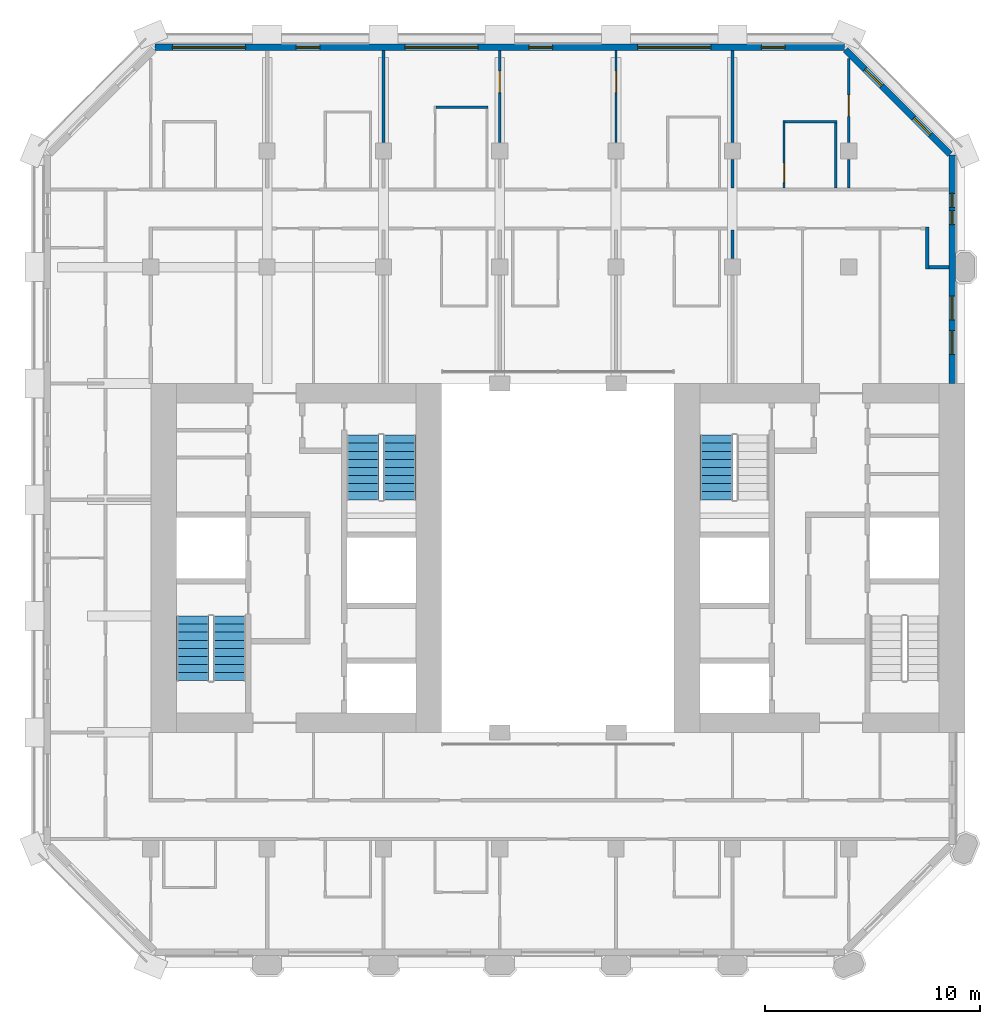
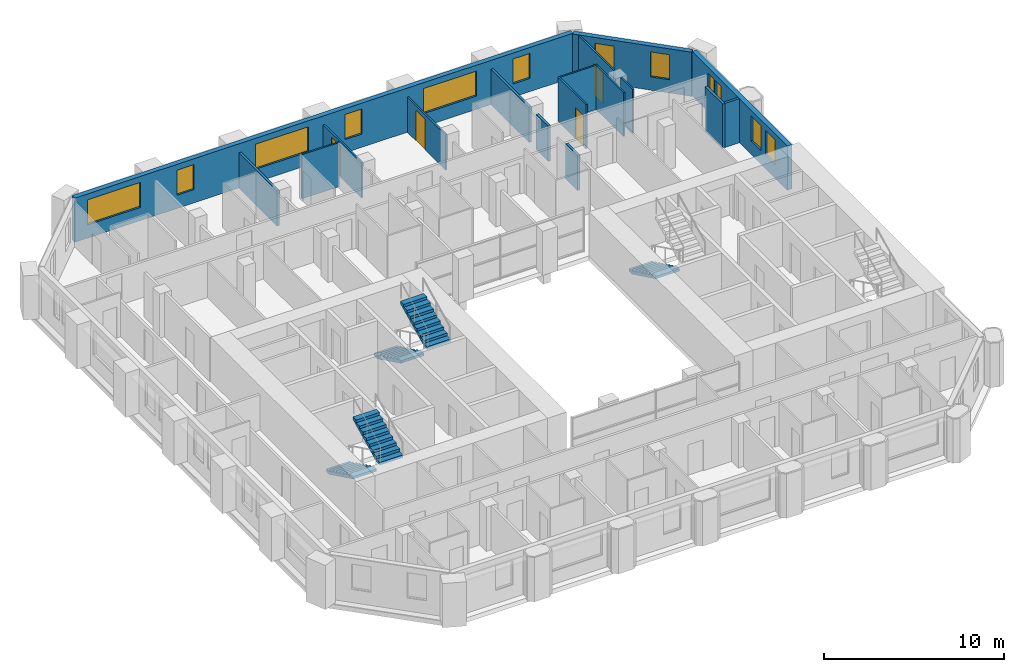
# One storey, part 11 of 14: 17 walls, 12 windows, 5 stair flights, 4 doors, 16 openings, 3 elements without a shape of their own.
"""IFC4 building model written with IfcOpenShell, lengths in metres."""

from ifc_helpers import new_model, si_unit, direction, frame, frame_2d, origin, place, context, subcontext, project, spatial, polyline, rectangle, outline, extrude, material, layer, layer_set, type_object, element, fill, aggregate, save


model = new_model("IFC4")

# Units and contexts
model_context = context("Model", 3, precision=1e-05, world=origin(), true_north=direction((0.0, 1.0)))
body_context = subcontext(model_context, "Body", "Model", "MODEL_VIEW")
ifc_project = project(units=[si_unit("LENGTHUNIT", "METRE"), si_unit("AREAUNIT", "SQUARE_METRE"), si_unit("VOLUMEUNIT", "CUBIC_METRE"), si_unit("PLANEANGLEUNIT", "RADIAN"), si_unit("MASSUNIT", "GRAM", prefix="KILO")], contexts=[model_context])

# Site, building, storey
site_placement = place(None, origin())
site = spatial("IfcSite", under=ifc_project, at=site_placement, CompositionType="ELEMENT")
building_placement = place(site_placement, origin())
building = spatial("IfcBuilding", under=site, at=building_placement, Name="Tabaq Tower and Sports Hall", CompositionType="ELEMENT")
storey_placement = place(building_placement, frame((0.0, 0.0, 223.60009765625)))
storey = spatial("IfcBuildingStorey", under=building, at=storey_placement, Name="L56", CompositionType="ELEMENT", Elevation=223.60009765625)

# Wall, opening, door
ifc_material_1 = material(Name="Gypsum board on steel studs", Category="steel")
ifc_layer_1 = layer(ifc_material_1, 0.10009765625)
ifc_layer_set_1 = layer_set([ifc_layer_1], Name="Partition 100 Gypsum board")
wall_type_1 = type_object("IfcWallType", Name="Partition 100 Gypsum board", PredefinedType="PARTITIONING", material=ifc_layer_set_1)
wall_1_placement = place(storey_placement, frame((34.800048828125, 41.47509765625, 0.0), z_axis=(0.0, 0.0, 1.0), x_axis=(0.0, 1.0, 0.0)))
wall_1 = element("IfcWall", 1, at=wall_1_placement, inside=storey, type_object=wall_type_1, Name="Partition wall L56", PredefinedType="PARTITIONING", context=body_context, shape_type="SweptSolid", body=[
    extrude(rectangle(XDim=3.125, YDim=0.10009765625, at=frame_2d((1.5625, 0.0))), origin(), (0.0, 0.0, 1.0), 3.0),
])
opening_1_placement = place(wall_1_placement, frame((0.25, 0.0, 0.0)))
opening_1 = element("IfcOpeningElement", 2, at=opening_1_placement, cuts=wall_1, Name="Opening L56-005", PredefinedType="OPENING", context=body_context, shape_type="SweptSolid", body=[
    extrude(rectangle(XDim=0.89990234375, YDim=2.10009765625, at=frame_2d((0.449951171875, 1.050048828125))), frame((0.0, 0.050048828125, 0.0), z_axis=(0.0, -1.0, 0.0), x_axis=(1.0, 0.0, 0.0)), (0.0, 0.0, 1.0), 0.10009765625),
])
ifc_material_2 = material(Name="Timber leaf in steel frame", Category="steel")
door_type_1 = type_object("IfcDoorType", Name="Internal door 900 right hand", OperationType="SINGLE_SWING_RIGHT", PredefinedType="DOOR", material=ifc_material_2)
door_1_placement = place(opening_1_placement, origin())
door_1 = element("IfcDoor", 3, at=door_1_placement, inside=storey, type_object=door_type_1, Name="Internal door L56-005", OperationType="SINGLE_SWING_RIGHT", OverallHeight=2.10009765625, OverallWidth=0.89990234375, PredefinedType="DOOR", context=body_context, shape_type="SweptSolid", body=[
    extrude(rectangle(XDim=0.89990234375, YDim=2.10009765625, at=frame_2d((0.449951171875, 1.050048828125))), frame((0.0, 0.02490234375, 0.0), z_axis=(0.0, -1.0, 0.0), x_axis=(1.0, 0.0, 0.0)), (0.0, 0.0, 1.0), 0.050048828125),
])
fill(opening_1, door_1)

# Walls
wall_2_placement = place(storey_placement, frame((34.85009765625, 44.550048828125, 0.0), z_axis=(0.0, 0.0, 1.0), x_axis=(1.0, 0.0, 0.0)))
element("IfcWall", 4, at=wall_2_placement, inside=storey, type_object=wall_type_1, Name="Partition wall L56", PredefinedType="PARTITIONING", context=body_context, shape_type="SweptSolid", body=[
    extrude(rectangle(XDim=2.39990234375, YDim=0.10009765625, at=frame_2d((1.199951171875, 0.0))), origin(), (0.0, 0.0, 1.0), 3.0),
])
wall_3_placement = place(storey_placement, frame((37.199951171875, 44.5, 0.0), z_axis=(0.0, 0.0, 1.0), x_axis=(0.0, -1.0, 0.0)))
element("IfcWall", 5, at=wall_3_placement, inside=storey, type_object=wall_type_1, Name="Partition wall L56", PredefinedType="PARTITIONING", context=body_context, shape_type="SweptSolid", body=[
    extrude(rectangle(XDim=3.02490234375, YDim=0.10009765625, at=frame_2d((1.512451171875, 0.0))), origin(), (0.0, 0.0, 1.0), 3.0),
])
wall_4_placement = place(storey_placement, frame((37.800048828125, 41.47509765625, 0.0), z_axis=(0.0, 0.0, 1.0), x_axis=(0.0, 1.0, 0.0)))
element("IfcWall", 6, at=wall_4_placement, inside=storey, type_object=wall_type_1, Name="Partition wall L56", PredefinedType="PARTITIONING", context=body_context, shape_type="SweptSolid", body=[
    extrude(rectangle(XDim=1.329833984375, YDim=0.10009765625, at=frame_2d((0.6650390625, 0.0))), origin(), (0.0, 0.0, 1.0), 3.0),
])

# Wall, opening, door
wall_5_placement = place(storey_placement, frame((37.800048828125, 43.594970703125, 0.0), z_axis=(0.0, 0.0, 1.0), x_axis=(0.0, 1.0, 0.0)))
wall_5 = element("IfcWall", 7, at=wall_5_placement, inside=storey, type_object=wall_type_1, Name="Partition wall L56", PredefinedType="PARTITIONING", context=body_context, shape_type="SweptSolid", body=[
    extrude(rectangle(XDim=3.892822265625, YDim=0.10009765625, at=frame_2d((1.9462890625, 0.0))), origin(), (0.0, 0.0, 1.0), 3.0),
])
opening_2_placement = place(wall_5_placement, frame((1.205078125, 0.0, 0.0)))
opening_2 = element("IfcOpeningElement", 8, at=opening_2_placement, cuts=wall_5, Name="Opening L56-032", PredefinedType="OPENING", context=body_context, shape_type="SweptSolid", body=[
    extrude(rectangle(XDim=1.0, YDim=2.10009765625, at=frame_2d((0.5, 1.050048828125))), frame((0.0, 0.050048828125, 0.0), z_axis=(0.0, -1.0, 0.0), x_axis=(1.0, 0.0, 0.0)), (0.0, 0.0, 1.0), 0.10009765625),
])
ifc_material_3 = material(Name="Timber leaf in steel frame", Category="steel")
door_type_2 = type_object("IfcDoorType", Name="Internal door 1000 right hand", OperationType="SINGLE_SWING_RIGHT", PredefinedType="DOOR", material=ifc_material_3)
door_2_placement = place(opening_2_placement, origin())
door_2 = element("IfcDoor", 9, at=door_2_placement, inside=storey, type_object=door_type_2, Name="Internal door L56-032", OperationType="SINGLE_SWING_RIGHT", OverallHeight=2.10009765625, OverallWidth=1.0, PredefinedType="DOOR", context=body_context, shape_type="SweptSolid", body=[
    extrude(rectangle(XDim=1.0, YDim=2.10009765625, at=frame_2d((0.5, 1.050048828125))), frame((0.0, 0.02490234375, 0.0), z_axis=(0.0, -1.0, 0.0), x_axis=(1.0, 0.0, 0.0)), (0.0, 0.0, 1.0), 0.050048828125),
])
fill(opening_2, door_2)

wall_6_placement = place(storey_placement, frame((27.0, 47.84912109375, 0.0), z_axis=(0.0, 0.0, 1.0), x_axis=(0.0, -1.0, 0.0)))
wall_6 = element("IfcWall", 10, at=wall_6_placement, inside=storey, type_object=wall_type_1, Name="Partition wall L56", PredefinedType="PARTITIONING", context=body_context, shape_type="SweptSolid", body=[
    extrude(rectangle(XDim=4.254150390625, YDim=0.10009765625, at=frame_2d((2.126953125, 0.0))), origin(), (0.0, 0.0, 1.0), 2.39990234375),
])
opening_3_placement = place(wall_6_placement, frame((0.948974609375, 0.0, 0.0)))
opening_3 = element("IfcOpeningElement", 11, at=opening_3_placement, cuts=wall_6, Name="Opening L56-034", PredefinedType="OPENING", context=body_context, shape_type="SweptSolid", body=[
    extrude(rectangle(XDim=1.0, YDim=2.10009765625, at=frame_2d((0.5, 1.050048828125))), frame((0.0, 0.050048828125, 0.0), z_axis=(0.0, -1.0, 0.0), x_axis=(1.0, 0.0, 0.0)), (0.0, 0.0, 1.0), 0.10009765625),
])
door_3_placement = place(opening_3_placement, origin())
door_3 = element("IfcDoor", 12, at=door_3_placement, inside=storey, type_object=door_type_2, Name="Internal door L56-034", OperationType="SINGLE_SWING_RIGHT", OverallHeight=2.10009765625, OverallWidth=1.0, PredefinedType="DOOR", context=body_context, shape_type="SweptSolid", body=[
    extrude(rectangle(XDim=1.0, YDim=2.10009765625, at=frame_2d((0.5, 1.050048828125))), frame((0.0, 0.02490234375, 0.0), z_axis=(0.0, -1.0, 0.0), x_axis=(1.0, 0.0, 0.0)), (0.0, 0.0, 1.0), 0.050048828125),
])
fill(opening_3, door_3)

# Wall
wall_7_placement = place(storey_placement, frame((18.64990234375, 45.22509765625, 0.0), z_axis=(0.0, 0.0, 1.0), x_axis=(1.0, 0.0, 0.0)))
element("IfcWall", 13, at=wall_7_placement, inside=storey, type_object=wall_type_1, Name="Partition wall L56", PredefinedType="PARTITIONING", context=body_context, shape_type="SweptSolid", body=[
    extrude(rectangle(XDim=2.400146484375, YDim=0.10009765625, at=frame_2d((1.2001953125, 0.0))), origin(), (0.0, 0.0, 1.0), 3.0),
])

# Wall, opening, door
wall_8_placement = place(storey_placement, frame((21.60009765625, 43.594970703125, 0.0), z_axis=(0.0, 0.0, 1.0), x_axis=(0.0, 1.0, 0.0)))
wall_8 = element("IfcWall", 14, at=wall_8_placement, inside=storey, type_object=wall_type_1, Name="Partition wall L56", PredefinedType="PARTITIONING", context=body_context, shape_type="SweptSolid", body=[
    extrude(rectangle(XDim=4.254150390625, YDim=0.10009765625, at=frame_2d((2.126953125, 0.0))), origin(), (0.0, 0.0, 1.0), 2.39990234375),
])
opening_4_placement = place(wall_8_placement, frame((2.304931640625, 0.0, 0.0)))
opening_4 = element("IfcOpeningElement", 15, at=opening_4_placement, cuts=wall_8, Name="Opening L56-035", PredefinedType="OPENING", context=body_context, shape_type="SweptSolid", body=[
    extrude(rectangle(XDim=1.0, YDim=2.10009765625, at=frame_2d((0.5, 1.050048828125))), frame((0.0, 0.050048828125, 0.0), z_axis=(0.0, -1.0, 0.0), x_axis=(1.0, 0.0, 0.0)), (0.0, 0.0, 1.0), 0.10009765625),
])
door_4_placement = place(opening_4_placement, origin())
door_4 = element("IfcDoor", 16, at=door_4_placement, inside=storey, type_object=door_type_2, Name="Internal door L56-035", OperationType="SINGLE_SWING_RIGHT", OverallHeight=2.10009765625, OverallWidth=1.0, PredefinedType="DOOR", context=body_context, shape_type="SweptSolid", body=[
    extrude(rectangle(XDim=1.0, YDim=2.10009765625, at=frame_2d((0.5, 1.050048828125))), frame((0.0, 0.02490234375, 0.0), z_axis=(0.0, -1.0, 0.0), x_axis=(1.0, 0.0, 0.0)), (0.0, 0.0, 1.0), 0.050048828125),
])
fill(opening_4, door_4)

# Walls
ifc_material_4 = material(Name="Blockwork", Category="masonry")
ifc_layer_2 = layer(ifc_material_4, 0.14990234375)
ifc_layer_set_2 = layer_set([ifc_layer_2], Name="Separating wall 150 Blockwork")
wall_type_2 = type_object("IfcWallType", Name="Separating wall 150 Blockwork", PredefinedType="PARTITIONING", material=ifc_layer_set_2)
wall_9_placement = place(storey_placement, frame((32.39990234375, 38.195068359375, 0.0), z_axis=(0.0, 0.0, 1.0), x_axis=(0.0, 1.0, 0.0)))
element("IfcWall", 17, at=wall_9_placement, inside=storey, type_object=wall_type_2, Name="Separating wall L56", PredefinedType="PARTITIONING", context=body_context, shape_type="SweptSolid", body=[
    extrude(rectangle(XDim=1.329833984375, YDim=0.14990234375, at=frame_2d((0.6650390625, 0.0))), origin(), (0.0, 0.0, 1.0), 2.39990234375),
])
wall_10_placement = place(storey_placement, frame((32.39990234375, 47.84912109375, 0.0), z_axis=(0.0, 0.0, 1.0), x_axis=(0.0, -1.0, 0.0)))
element("IfcWall", 18, at=wall_10_placement, inside=storey, type_object=wall_type_2, Name="Separating wall L56", PredefinedType="PARTITIONING", context=body_context, shape_type="SweptSolid", body=[
    extrude(rectangle(XDim=4.254150390625, YDim=0.14990234375, at=frame_2d((2.126953125, 0.0))), origin(), (0.0, 0.0, 1.0), 2.39990234375),
])
wall_11_placement = place(storey_placement, frame((32.39990234375, 42.804931640625, 0.0), z_axis=(0.0, 0.0, 1.0), x_axis=(0.0, -1.0, 0.0)))
element("IfcWall", 19, at=wall_11_placement, inside=storey, type_object=wall_type_2, Name="Separating wall L56", PredefinedType="PARTITIONING", context=body_context, shape_type="SweptSolid", body=[
    extrude(rectangle(XDim=1.329833984375, YDim=0.14990234375, at=frame_2d((0.6650390625, 0.0))), origin(), (0.0, 0.0, 1.0), 2.39990234375),
])
wall_12_placement = place(storey_placement, frame((16.199951171875, 47.84912109375, 0.0), z_axis=(0.0, 0.0, 1.0), x_axis=(0.0, -1.0, 0.0)))
element("IfcWall", 20, at=wall_12_placement, inside=storey, type_object=wall_type_2, Name="Separating wall L56", PredefinedType="PARTITIONING", context=body_context, shape_type="SweptSolid", body=[
    extrude(rectangle(XDim=4.254150390625, YDim=0.14990234375, at=frame_2d((2.126953125, 0.0))), origin(), (0.0, 0.0, 1.0), 2.39990234375),
])
wall_13_placement = place(storey_placement, frame((41.448974609375, 39.675048828125, 0.0), z_axis=(0.0, 0.0, 1.0), x_axis=(0.00050081376, -0.999999874593, 0.0)))
element("IfcWall", 21, at=wall_13_placement, inside=storey, type_object=wall_type_2, Name="Separating wall L56", PredefinedType="PARTITIONING", context=body_context, shape_type="SweptSolid", body=[
    extrude(rectangle(XDim=1.949951171875, YDim=0.14990234375, at=frame_2d((0.97509765625, 0.0))), origin(), (0.0, 0.0, 1.0), 3.0),
])
wall_14_placement = place(storey_placement, frame((41.52490234375, 37.800048828125, 0.0), z_axis=(0.0, 0.0, 1.0), x_axis=(1.0, 0.0, 0.0)))
element("IfcWall", 22, at=wall_14_placement, inside=storey, type_object=wall_type_2, Name="Separating wall L56", PredefinedType="PARTITIONING", context=body_context, shape_type="SweptSolid", body=[
    extrude(rectangle(XDim=0.925048828125, YDim=0.14990234375, at=frame_2d((0.46240234375, 0.0))), origin(), (0.0, 0.0, 1.0), 3.0),
])

# Wall, openings, windows
ifc_material_5 = material(Name="White precast concrete C60/75", Category="concrete")
ifc_layer_3 = layer(ifc_material_5, 0.300048828125)
ifc_layer_set_3 = layer_set([ifc_layer_3], Name="White precast concrete C60/75 external wall 300")
wall_type_3 = type_object("IfcWallType", Name="White precast concrete C60/75 external wall 300", PredefinedType="SOLIDWALL", material=ifc_layer_set_3)
wall_15_placement = place(storey_placement, frame((42.60009765625, 32.39990234375, 0.0), z_axis=(0.0, 0.0, 1.0), x_axis=(0.0, 1.0, 0.0)))
wall_15 = element("IfcWall", 23, at=wall_15_placement, inside=storey, type_object=wall_type_3, Name="External Wall L56 E", PredefinedType="SOLIDWALL", context=body_context, shape_type="SweptSolid", body=[
    extrude(rectangle(XDim=10.61376953125, YDim=0.300048828125, at=frame_2d((5.306884765625, 0.0))), origin(), (0.0, 0.0, 1.0), 3.0),
])
opening_5_placement = place(wall_15_placement, frame((1.35009765625, 0.0, 0.89990234375)))
opening_5 = element("IfcOpeningElement", 24, at=opening_5_placement, cuts=wall_15, Name="Opening W1B", PredefinedType="OPENING", context=body_context, shape_type="SweptSolid", body=[
    extrude(rectangle(XDim=1.10009765625, YDim=1.699951171875, at=frame_2d((0.550048828125, 0.85009765625))), frame((0.0, 0.16015625, 0.0), z_axis=(0.0, -1.0, 0.0), x_axis=(1.0, 0.0, 0.0)), (0.0, 0.0, 1.0), 0.320068359375),
])
opening_6_placement = place(wall_15_placement, frame((2.949951171875, 0.0, 0.89990234375)))
opening_6 = element("IfcOpeningElement", 25, at=opening_6_placement, cuts=wall_15, Name="Opening W1B", PredefinedType="OPENING", context=body_context, shape_type="SweptSolid", body=[
    extrude(rectangle(XDim=1.10009765625, YDim=1.699951171875, at=frame_2d((0.550048828125, 0.85009765625))), frame((0.0, 0.16015625, 0.0), z_axis=(0.0, -1.0, 0.0), x_axis=(1.0, 0.0, 0.0)), (0.0, 0.0, 1.0), 0.320068359375),
])
opening_7_placement = place(wall_15_placement, frame((7.375, 0.0, 0.89990234375)))
opening_7 = element("IfcOpeningElement", 26, at=opening_7_placement, cuts=wall_15, Name="Opening W1C", PredefinedType="OPENING", context=body_context, shape_type="SweptSolid", body=[
    extrude(rectangle(XDim=0.64990234375, YDim=1.699951171875, at=frame_2d((0.324951171875, 0.85009765625))), frame((0.0, 0.16015625, 0.0), z_axis=(0.0, -1.0, 0.0), x_axis=(1.0, 0.0, 0.0)), (0.0, 0.0, 1.0), 0.320068359375),
])
opening_8_placement = place(wall_15_placement, frame((8.175048828125, 0.0, 0.89990234375)))
opening_8 = element("IfcOpeningElement", 27, at=opening_8_placement, cuts=wall_15, Name="Opening W1C", PredefinedType="OPENING", context=body_context, shape_type="SweptSolid", body=[
    extrude(rectangle(XDim=0.64990234375, YDim=1.699951171875, at=frame_2d((0.324951171875, 0.85009765625))), frame((0.0, 0.16015625, 0.0), z_axis=(0.0, -1.0, 0.0), x_axis=(1.0, 0.0, 0.0)), (0.0, 0.0, 1.0), 0.320068359375),
])
ifc_material_6 = material(Name="Aluminium framed clear glazing", Category="aluminium")
window_type_1 = type_object("IfcWindowType", Name="Window W1B", PartitioningType="SINGLE_PANEL", PredefinedType="WINDOW", material=ifc_material_6)
window_1_placement = place(opening_5_placement, origin())
window_1 = element("IfcWindow", 28, at=window_1_placement, inside=storey, type_object=window_type_1, Name="Window W1B L56", OverallHeight=1.699951171875, OverallWidth=1.10009765625, PartitioningType="SINGLE_PANEL", PredefinedType="WINDOW", context=body_context, shape_type="SweptSolid", body=[
    extrude(rectangle(XDim=1.10009765625, YDim=1.699951171875, at=frame_2d((0.550048828125, 0.85009765625))), frame((0.0, 0.030029296875, 0.0), z_axis=(0.0, -1.0, 0.0), x_axis=(1.0, 0.0, 0.0)), (0.0, 0.0, 1.0), 0.06005859375),
])
fill(opening_5, window_1)
window_2_placement = place(opening_6_placement, origin())
window_2 = element("IfcWindow", 29, at=window_2_placement, inside=storey, type_object=window_type_1, Name="Window W1B L56", OverallHeight=1.699951171875, OverallWidth=1.10009765625, PartitioningType="SINGLE_PANEL", PredefinedType="WINDOW", context=body_context, shape_type="SweptSolid", body=[
    extrude(rectangle(XDim=1.10009765625, YDim=1.699951171875, at=frame_2d((0.550048828125, 0.85009765625))), frame((0.0, 0.030029296875, 0.0), z_axis=(0.0, -1.0, 0.0), x_axis=(1.0, 0.0, 0.0)), (0.0, 0.0, 1.0), 0.06005859375),
])
fill(opening_6, window_2)
ifc_material_7 = material(Name="Aluminium framed clear glazing", Category="aluminium")
window_type_2 = type_object("IfcWindowType", Name="Window W1C", PartitioningType="SINGLE_PANEL", PredefinedType="WINDOW", material=ifc_material_7)
window_3_placement = place(opening_7_placement, origin())
window_3 = element("IfcWindow", 30, at=window_3_placement, inside=storey, type_object=window_type_2, Name="Window W1C L56", OverallHeight=1.699951171875, OverallWidth=0.64990234375, PartitioningType="SINGLE_PANEL", PredefinedType="WINDOW", context=body_context, shape_type="SweptSolid", body=[
    extrude(rectangle(XDim=0.64990234375, YDim=1.699951171875, at=frame_2d((0.324951171875, 0.85009765625))), frame((0.0, 0.030029296875, 0.0), z_axis=(0.0, -1.0, 0.0), x_axis=(1.0, 0.0, 0.0)), (0.0, 0.0, 1.0), 0.06005859375),
])
fill(opening_7, window_3)
window_4_placement = place(opening_8_placement, origin())
window_4 = element("IfcWindow", 31, at=window_4_placement, inside=storey, type_object=window_type_2, Name="Window W1C L56", OverallHeight=1.699951171875, OverallWidth=0.64990234375, PartitioningType="SINGLE_PANEL", PredefinedType="WINDOW", context=body_context, shape_type="SweptSolid", body=[
    extrude(rectangle(XDim=0.64990234375, YDim=1.699951171875, at=frame_2d((0.324951171875, 0.85009765625))), frame((0.0, 0.030029296875, 0.0), z_axis=(0.0, -1.0, 0.0), x_axis=(1.0, 0.0, 0.0)), (0.0, 0.0, 1.0), 0.06005859375),
])
fill(opening_8, window_4)

wall_16_placement = place(storey_placement, frame((42.5009765625, 43.050537109375, 0.0), z_axis=(0.0, 0.0, 1.0), x_axis=(-0.707106781187, 0.707106781187, 0.0)))
wall_16 = element("IfcWall", 32, at=wall_16_placement, inside=storey, type_object=wall_type_3, Name="External Wall L56 NE", PredefinedType="SOLIDWALL", context=body_context, shape_type="SweptSolid", body=[
    extrude(rectangle(XDim=6.85986328125, YDim=0.300048828125, at=frame_2d((3.429931640625, 0.0))), origin(), (0.0, 0.0, 1.0), 3.0),
])
opening_9_placement = place(wall_16_placement, frame((1.27978515625, 0.0, 0.89990234375)))
opening_9 = element("IfcOpeningElement", 33, at=opening_9_placement, cuts=wall_16, Name="Opening W1B", PredefinedType="OPENING", context=body_context, shape_type="SweptSolid", body=[
    extrude(rectangle(XDim=1.10009765625, YDim=1.699951171875, at=frame_2d((0.550048828125, 0.85009765625))), frame((0.0, 0.16015625, 0.0), z_axis=(0.0, -1.0, 0.0), x_axis=(1.0, 0.0, 0.0)), (0.0, 0.0, 1.0), 0.320068359375),
])
opening_10_placement = place(wall_16_placement, frame((4.479736328125, 0.0, 0.89990234375)))
opening_10 = element("IfcOpeningElement", 34, at=opening_10_placement, cuts=wall_16, Name="Opening W1B", PredefinedType="OPENING", context=body_context, shape_type="SweptSolid", body=[
    extrude(rectangle(XDim=1.10009765625, YDim=1.699951171875, at=frame_2d((0.550048828125, 0.85009765625))), frame((0.0, 0.16015625, 0.0), z_axis=(0.0, -1.0, 0.0), x_axis=(1.0, 0.0, 0.0)), (0.0, 0.0, 1.0), 0.320068359375),
])
window_5_placement = place(opening_9_placement, origin())
window_5 = element("IfcWindow", 35, at=window_5_placement, inside=storey, type_object=window_type_1, Name="Window W1B L56", OverallHeight=1.699951171875, OverallWidth=1.10009765625, PartitioningType="SINGLE_PANEL", PredefinedType="WINDOW", context=body_context, shape_type="SweptSolid", body=[
    extrude(rectangle(XDim=1.10009765625, YDim=1.699951171875, at=frame_2d((0.550048828125, 0.85009765625))), frame((0.0, 0.030029296875, 0.0), z_axis=(0.0, -1.0, 0.0), x_axis=(1.0, 0.0, 0.0)), (0.0, 0.0, 1.0), 0.06005859375),
])
fill(opening_9, window_5)
window_6_placement = place(opening_10_placement, origin())
window_6 = element("IfcWindow", 36, at=window_6_placement, inside=storey, type_object=window_type_1, Name="Window W1B L56", OverallHeight=1.699951171875, OverallWidth=1.10009765625, PartitioningType="SINGLE_PANEL", PredefinedType="WINDOW", context=body_context, shape_type="SweptSolid", body=[
    extrude(rectangle(XDim=1.10009765625, YDim=1.699951171875, at=frame_2d((0.550048828125, 0.85009765625))), frame((0.0, 0.030029296875, 0.0), z_axis=(0.0, -1.0, 0.0), x_axis=(1.0, 0.0, 0.0)), (0.0, 0.0, 1.0), 0.06005859375),
])
fill(opening_10, window_6)

wall_17_placement = place(storey_placement, frame((37.613525390625, 48.0, 0.0), z_axis=(0.0, 0.0, 1.0), x_axis=(-1.0, 0.0, 0.0)))
wall_17 = element("IfcWall", 37, at=wall_17_placement, inside=storey, type_object=wall_type_3, Name="External Wall L56 N", PredefinedType="SOLIDWALL", context=body_context, shape_type="SweptSolid", body=[
    extrude(rectangle(XDim=32.027099609375, YDim=0.300048828125, at=frame_2d((16.013671875, 0.0))), origin(), (0.0, 0.0, 1.0), 3.0),
])
opening_11_placement = place(wall_17_placement, frame((2.763671875, 0.0, 0.89990234375)))
opening_11 = element("IfcOpeningElement", 38, at=opening_11_placement, cuts=wall_17, Name="Opening W1B", PredefinedType="OPENING", context=body_context, shape_type="SweptSolid", body=[
    extrude(rectangle(XDim=1.10009765625, YDim=1.699951171875, at=frame_2d((0.550048828125, 0.85009765625))), frame((0.0, 0.16015625, 0.0), z_axis=(0.0, -1.0, 0.0), x_axis=(1.0, 0.0, 0.0)), (0.0, 0.0, 1.0), 0.320068359375),
])
opening_12_placement = place(wall_17_placement, frame((6.213623046875, 0.0, 0.89990234375)))
opening_12 = element("IfcOpeningElement", 39, at=opening_12_placement, cuts=wall_17, Name="Opening W1A", PredefinedType="OPENING", context=body_context, shape_type="SweptSolid", body=[
    extrude(rectangle(XDim=3.39990234375, YDim=1.699951171875, at=frame_2d((1.699951171875, 0.85009765625))), frame((0.0, 0.16015625, 0.0), z_axis=(0.0, -1.0, 0.0), x_axis=(1.0, 0.0, 0.0)), (0.0, 0.0, 1.0), 0.320068359375),
])
opening_13_placement = place(wall_17_placement, frame((13.563720703125, 0.0, 0.89990234375)))
opening_13 = element("IfcOpeningElement", 40, at=opening_13_placement, cuts=wall_17, Name="Opening W1B", PredefinedType="OPENING", context=body_context, shape_type="SweptSolid", body=[
    extrude(rectangle(XDim=1.10009765625, YDim=1.699951171875, at=frame_2d((0.550048828125, 0.85009765625))), frame((0.0, 0.16015625, 0.0), z_axis=(0.0, -1.0, 0.0), x_axis=(1.0, 0.0, 0.0)), (0.0, 0.0, 1.0), 0.320068359375),
])
opening_14_placement = place(wall_17_placement, frame((17.013671875, 0.0, 0.89990234375)))
opening_14 = element("IfcOpeningElement", 41, at=opening_14_placement, cuts=wall_17, Name="Opening W1A", PredefinedType="OPENING", context=body_context, shape_type="SweptSolid", body=[
    extrude(rectangle(XDim=3.39990234375, YDim=1.699951171875, at=frame_2d((1.699951171875, 0.85009765625))), frame((0.0, 0.16015625, 0.0), z_axis=(0.0, -1.0, 0.0), x_axis=(1.0, 0.0, 0.0)), (0.0, 0.0, 1.0), 0.320068359375),
])
opening_15_placement = place(wall_17_placement, frame((24.363525390625, 0.0, 0.89990234375)))
opening_15 = element("IfcOpeningElement", 42, at=opening_15_placement, cuts=wall_17, Name="Opening W1B", PredefinedType="OPENING", context=body_context, shape_type="SweptSolid", body=[
    extrude(rectangle(XDim=1.10009765625, YDim=1.699951171875, at=frame_2d((0.550048828125, 0.85009765625))), frame((0.0, 0.16015625, 0.0), z_axis=(0.0, -1.0, 0.0), x_axis=(1.0, 0.0, 0.0)), (0.0, 0.0, 1.0), 0.320068359375),
])
opening_16_placement = place(wall_17_placement, frame((27.813720703125, 0.0, 0.89990234375)))
opening_16 = element("IfcOpeningElement", 43, at=opening_16_placement, cuts=wall_17, Name="Opening W1A", PredefinedType="OPENING", context=body_context, shape_type="SweptSolid", body=[
    extrude(rectangle(XDim=3.39990234375, YDim=1.699951171875, at=frame_2d((1.699951171875, 0.85009765625))), frame((0.0, 0.16015625, 0.0), z_axis=(0.0, -1.0, 0.0), x_axis=(1.0, 0.0, 0.0)), (0.0, 0.0, 1.0), 0.320068359375),
])
ifc_material_8 = material(Name="Aluminium framed clear glazing", Category="aluminium")
window_type_3 = type_object("IfcWindowType", Name="Window W1A", PartitioningType="SINGLE_PANEL", PredefinedType="WINDOW", material=ifc_material_8)
window_7_placement = place(opening_12_placement, origin())
window_7 = element("IfcWindow", 44, at=window_7_placement, inside=storey, type_object=window_type_3, Name="Window W1A L56", OverallHeight=1.699951171875, OverallWidth=3.39990234375, PartitioningType="SINGLE_PANEL", PredefinedType="WINDOW", context=body_context, shape_type="SweptSolid", body=[
    extrude(rectangle(XDim=3.39990234375, YDim=1.699951171875, at=frame_2d((1.699951171875, 0.85009765625))), frame((0.0, 0.030029296875, 0.0), z_axis=(0.0, -1.0, 0.0), x_axis=(1.0, 0.0, 0.0)), (0.0, 0.0, 1.0), 0.06005859375),
])
fill(opening_12, window_7)
window_8_placement = place(opening_14_placement, origin())
window_8 = element("IfcWindow", 45, at=window_8_placement, inside=storey, type_object=window_type_3, Name="Window W1A L56", OverallHeight=1.699951171875, OverallWidth=3.39990234375, PartitioningType="SINGLE_PANEL", PredefinedType="WINDOW", context=body_context, shape_type="SweptSolid", body=[
    extrude(rectangle(XDim=3.39990234375, YDim=1.699951171875, at=frame_2d((1.699951171875, 0.85009765625))), frame((0.0, 0.030029296875, 0.0), z_axis=(0.0, -1.0, 0.0), x_axis=(1.0, 0.0, 0.0)), (0.0, 0.0, 1.0), 0.06005859375),
])
fill(opening_14, window_8)
window_9_placement = place(opening_16_placement, origin())
window_9 = element("IfcWindow", 46, at=window_9_placement, inside=storey, type_object=window_type_3, Name="Window W1A L56", OverallHeight=1.699951171875, OverallWidth=3.39990234375, PartitioningType="SINGLE_PANEL", PredefinedType="WINDOW", context=body_context, shape_type="SweptSolid", body=[
    extrude(rectangle(XDim=3.39990234375, YDim=1.699951171875, at=frame_2d((1.699951171875, 0.85009765625))), frame((0.0, 0.030029296875, 0.0), z_axis=(0.0, -1.0, 0.0), x_axis=(1.0, 0.0, 0.0)), (0.0, 0.0, 1.0), 0.06005859375),
])
fill(opening_16, window_9)
window_10_placement = place(opening_11_placement, origin())
window_10 = element("IfcWindow", 47, at=window_10_placement, inside=storey, type_object=window_type_1, Name="Window W1B L56", OverallHeight=1.699951171875, OverallWidth=1.10009765625, PartitioningType="SINGLE_PANEL", PredefinedType="WINDOW", context=body_context, shape_type="SweptSolid", body=[
    extrude(rectangle(XDim=1.10009765625, YDim=1.699951171875, at=frame_2d((0.550048828125, 0.85009765625))), frame((0.0, 0.030029296875, 0.0), z_axis=(0.0, -1.0, 0.0), x_axis=(1.0, 0.0, 0.0)), (0.0, 0.0, 1.0), 0.06005859375),
])
fill(opening_11, window_10)
window_11_placement = place(opening_13_placement, origin())
window_11 = element("IfcWindow", 48, at=window_11_placement, inside=storey, type_object=window_type_1, Name="Window W1B L56", OverallHeight=1.699951171875, OverallWidth=1.10009765625, PartitioningType="SINGLE_PANEL", PredefinedType="WINDOW", context=body_context, shape_type="SweptSolid", body=[
    extrude(rectangle(XDim=1.10009765625, YDim=1.699951171875, at=frame_2d((0.550048828125, 0.85009765625))), frame((0.0, 0.030029296875, 0.0), z_axis=(0.0, -1.0, 0.0), x_axis=(1.0, 0.0, 0.0)), (0.0, 0.0, 1.0), 0.06005859375),
])
fill(opening_13, window_11)
window_12_placement = place(opening_15_placement, origin())
window_12 = element("IfcWindow", 49, at=window_12_placement, inside=storey, type_object=window_type_1, Name="Window W1B L56", OverallHeight=1.699951171875, OverallWidth=1.10009765625, PartitioningType="SINGLE_PANEL", PredefinedType="WINDOW", context=body_context, shape_type="SweptSolid", body=[
    extrude(rectangle(XDim=1.10009765625, YDim=1.699951171875, at=frame_2d((0.550048828125, 0.85009765625))), frame((0.0, 0.030029296875, 0.0), z_axis=(0.0, -1.0, 0.0), x_axis=(1.0, 0.0, 0.0)), (0.0, 0.0, 1.0), 0.06005859375),
])
fill(opening_15, window_12)

# Stair, stair flights
ifc_material_9 = material(Name="Concrete C40/50", Category="concrete")
stair_type = type_object("IfcStairType", Name="Exit stair", PredefinedType="HALF_TURN_STAIR", material=ifc_material_9)
stair_1_placement = place(storey_placement, origin())
stair_1 = element("IfcStair", 50, at=stair_1_placement, inside=storey, type_object=stair_type, Name="L56 Exit stair ST1", PredefinedType="HALF_TURN_STAIR")
ifc_material_10 = material(Name="Concrete C40/50", Category="concrete")
stair_flight_type = type_object("IfcStairFlightType", Name="Exit stair flight", PredefinedType="STRAIGHT", material=ifc_material_10)
stair_flight_1_placement = place(storey_placement, frame((7.35009765625, 21.60009765625, 0.0), z_axis=(0.0, 0.0, 1.0), x_axis=(0.0, -1.0, 0.0)))
stair_flight_1 = element("IfcStairFlight", 51, at=stair_flight_1_placement, type_object=stair_flight_type, Name="ST1 flight 1", NumberOfRisers=9, NumberOfTreads=8, PredefinedType="STRAIGHT", RiserHeight=0.183333333, TreadLength=0.375, context=body_context, shape_type="SweptSolid", body=[
    extrude(outline(polyline([(0.0, 0.0), (0.0, 0.183349609375), (0.375, 0.183349609375), (0.375, 0.36669921875), (0.75, 0.36669921875), (0.75, 0.550048828125), (1.125, 0.550048828125), (1.125, 0.7333984375), (1.5, 0.7333984375), (1.5, 0.916748046875), (1.875, 0.916748046875), (1.875, 1.10009765625), (2.25, 1.10009765625), (2.25, 1.283447265625), (2.625, 1.283447265625), (2.625, 1.466552734375), (3.0, 1.466552734375), (3.0, 1.64990234375), (3.0, 1.2998046875), (0.34130859375, 0.0), (0.0, 0.0)])), frame((0.0, 0.75, 0.0), z_axis=(0.0, -1.0, 0.0), x_axis=(1.0, 0.0, 0.0)), (0.0, 0.0, 1.0), 1.5),
])
stair_flight_2_placement = place(storey_placement, frame((9.050048828125, 18.60009765625, 1.64990234375), z_axis=(0.0, 0.0, 1.0), x_axis=(0.0, 1.0, 0.0)))
stair_flight_2 = element("IfcStairFlight", 52, at=stair_flight_2_placement, type_object=stair_flight_type, Name="ST1 flight 2", NumberOfRisers=9, NumberOfTreads=8, PredefinedType="STRAIGHT", RiserHeight=0.183333333, TreadLength=0.375, context=body_context, shape_type="SweptSolid", body=[
    extrude(outline(polyline([(0.0, 0.0), (0.0, 0.183349609375), (0.375, 0.183349609375), (0.375, 0.36669921875), (0.75, 0.36669921875), (0.75, 0.550048828125), (1.125, 0.550048828125), (1.125, 0.7333984375), (1.5, 0.7333984375), (1.5, 0.916748046875), (1.875, 0.916748046875), (1.875, 1.10009765625), (2.25, 1.10009765625), (2.25, 1.283447265625), (2.625, 1.283447265625), (2.625, 1.466552734375), (3.0, 1.466552734375), (3.0, 1.64990234375), (3.0, 1.2998046875), (0.34130859375, 0.0), (0.0, 0.0)])), frame((0.0, 0.75, 0.0), z_axis=(0.0, -1.0, 0.0), x_axis=(1.0, 0.0, 0.0)), (0.0, 0.0, 1.0), 1.5),
])
aggregate(stair_1, [stair_flight_1, stair_flight_2])

stair_2_placement = place(storey_placement, origin())
stair_2 = element("IfcStair", 53, at=stair_2_placement, inside=storey, type_object=stair_type, Name="L56 Exit stair ST2", PredefinedType="HALF_TURN_STAIR")
stair_flight_3_placement = place(storey_placement, frame((15.25, 30.0, 0.0), z_axis=(0.0, 0.0, 1.0), x_axis=(0.0, -1.0, 0.0)))
stair_flight_3 = element("IfcStairFlight", 54, at=stair_flight_3_placement, type_object=stair_flight_type, Name="ST2 flight 1", NumberOfRisers=9, NumberOfTreads=8, PredefinedType="STRAIGHT", RiserHeight=0.183333333, TreadLength=0.375, context=body_context, shape_type="SweptSolid", body=[
    extrude(outline(polyline([(0.0, 0.0), (0.0, 0.183349609375), (0.375, 0.183349609375), (0.375, 0.36669921875), (0.75, 0.36669921875), (0.75, 0.550048828125), (1.125, 0.550048828125), (1.125, 0.7333984375), (1.5, 0.7333984375), (1.5, 0.916748046875), (1.875, 0.916748046875), (1.875, 1.10009765625), (2.25, 1.10009765625), (2.25, 1.283447265625), (2.625, 1.283447265625), (2.625, 1.466552734375), (3.0, 1.466552734375), (3.0, 1.64990234375), (3.0, 1.2998046875), (0.34130859375, 0.0), (0.0, 0.0)])), frame((0.0, 0.75, 0.0), z_axis=(0.0, -1.0, 0.0), x_axis=(1.0, 0.0, 0.0)), (0.0, 0.0, 1.0), 1.5),
])
stair_flight_4_placement = place(storey_placement, frame((16.949951171875, 27.0, 1.64990234375), z_axis=(0.0, 0.0, 1.0), x_axis=(0.0, 1.0, 0.0)))
stair_flight_4 = element("IfcStairFlight", 55, at=stair_flight_4_placement, type_object=stair_flight_type, Name="ST2 flight 2", NumberOfRisers=9, NumberOfTreads=8, PredefinedType="STRAIGHT", RiserHeight=0.183333333, TreadLength=0.375, context=body_context, shape_type="SweptSolid", body=[
    extrude(outline(polyline([(0.0, 0.0), (0.0, 0.183349609375), (0.375, 0.183349609375), (0.375, 0.36669921875), (0.75, 0.36669921875), (0.75, 0.550048828125), (1.125, 0.550048828125), (1.125, 0.7333984375), (1.5, 0.7333984375), (1.5, 0.916748046875), (1.875, 0.916748046875), (1.875, 1.10009765625), (2.25, 1.10009765625), (2.25, 1.283447265625), (2.625, 1.283447265625), (2.625, 1.466552734375), (3.0, 1.466552734375), (3.0, 1.64990234375), (3.0, 1.2998046875), (0.34130859375, 0.0), (0.0, 0.0)])), frame((0.0, 0.75, 0.0), z_axis=(0.0, -1.0, 0.0), x_axis=(1.0, 0.0, 0.0)), (0.0, 0.0, 1.0), 1.5),
])
aggregate(stair_2, [stair_flight_3, stair_flight_4])

# Stair, stair flight
stair_3_placement = place(storey_placement, origin())
stair_3 = element("IfcStair", 56, at=stair_3_placement, inside=storey, type_object=stair_type, Name="L56 Exit stair ST4", PredefinedType="HALF_TURN_STAIR")
stair_flight_5_placement = place(storey_placement, frame((31.64990234375, 30.0, 0.0), z_axis=(0.0, 0.0, 1.0), x_axis=(0.0, -1.0, 0.0)))
stair_flight_5 = element("IfcStairFlight", 57, at=stair_flight_5_placement, type_object=stair_flight_type, Name="ST4 flight 1", NumberOfRisers=9, NumberOfTreads=8, PredefinedType="STRAIGHT", RiserHeight=0.183333333, TreadLength=0.375, context=body_context, shape_type="SweptSolid", body=[
    extrude(outline(polyline([(0.0, 0.0), (0.0, 0.183349609375), (0.375, 0.183349609375), (0.375, 0.36669921875), (0.75, 0.36669921875), (0.75, 0.550048828125), (1.125, 0.550048828125), (1.125, 0.7333984375), (1.5, 0.7333984375), (1.5, 0.916748046875), (1.875, 0.916748046875), (1.875, 1.10009765625), (2.25, 1.10009765625), (2.25, 1.283447265625), (2.625, 1.283447265625), (2.625, 1.466552734375), (3.0, 1.466552734375), (3.0, 1.64990234375), (3.0, 1.2998046875), (0.34130859375, 0.0), (0.0, 0.0)])), frame((0.0, 0.75, 0.0), z_axis=(0.0, -1.0, 0.0), x_axis=(1.0, 0.0, 0.0)), (0.0, 0.0, 1.0), 1.5),
])
aggregate(stair_3, [stair_flight_5])

save(model, "model.ifc")
